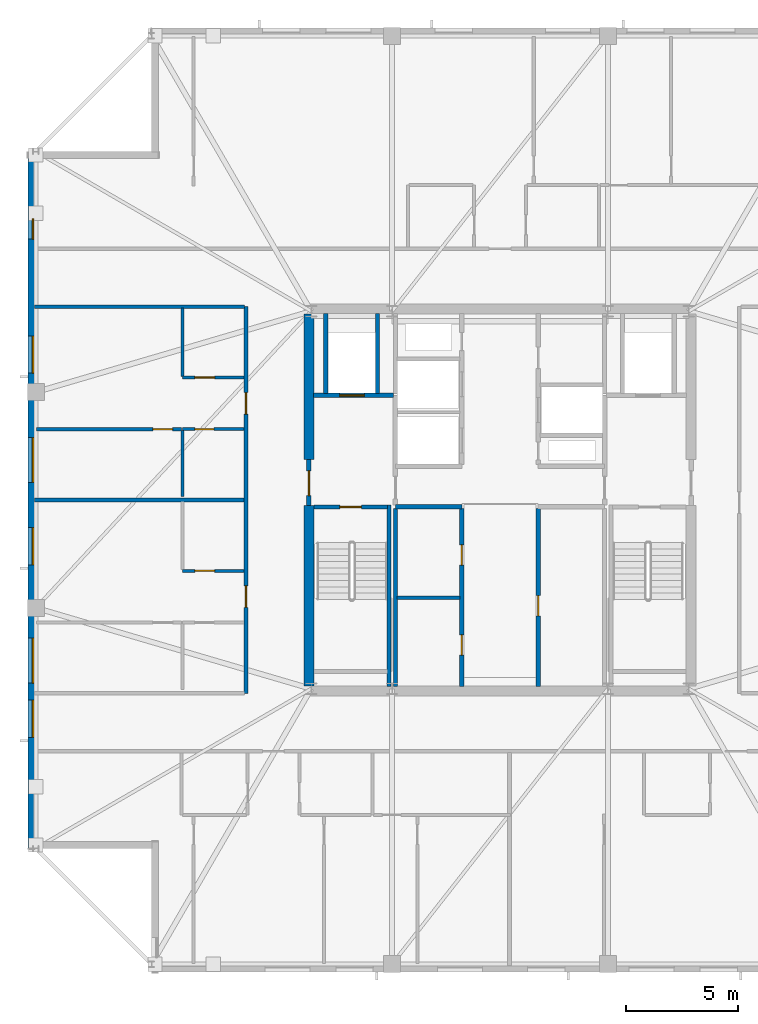
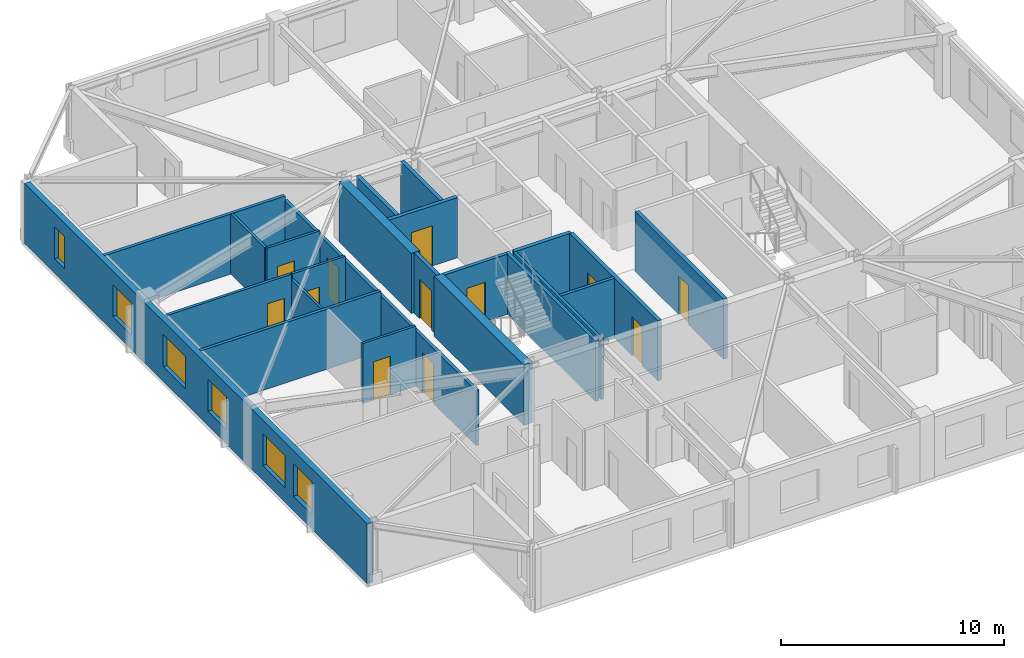
# One storey, part 8 of 15: 23 walls, 12 doors, 6 windows, 18 openings.
"""IFC4 building model written with IfcOpenShell, lengths in metres."""

from ifc_helpers import new_model, si_unit, direction, frame, frame_2d, origin, place, context, subcontext, project, spatial, rectangle, extrude, material, layer, layer_set, type_object, element, fill, save


model = new_model("IFC4")

# Units and contexts
model_context = context("Model", 3, precision=1e-05, world=origin(), true_north=direction((0.0, 1.0)))
body_context = subcontext(model_context, "Body", "Model", "MODEL_VIEW")
ifc_project = project(units=[si_unit("LENGTHUNIT", "METRE"), si_unit("AREAUNIT", "SQUARE_METRE"), si_unit("VOLUMEUNIT", "CUBIC_METRE"), si_unit("PLANEANGLEUNIT", "RADIAN"), si_unit("MASSUNIT", "GRAM", prefix="KILO")], contexts=[model_context])

# Site, building, storey
site_placement = place(None, origin())
site = spatial("IfcSite", under=ifc_project, at=site_placement, CompositionType="ELEMENT")
building_placement = place(site_placement, origin())
building = spatial("IfcBuilding", under=site, at=building_placement, Name="Cairnveth Concourse Tower", CompositionType="ELEMENT")
storey_placement = place(building_placement, frame((0.0, 0.0, 298.0)))
storey = spatial("IfcBuildingStorey", under=building, at=storey_placement, Name="L82", CompositionType="ELEMENT", Elevation=298.0)

# Walls
ifc_material_1 = material(Name="Gypsum Plasterboard Partition", Category="gypsum")
ifc_layer_1 = layer(ifc_material_1, 0.159912109375)
ifc_layer_set_1 = layer_set([ifc_layer_1], Name="Gypsum Plasterboard Partition")
wall_type_1 = type_object("IfcWallType", Name="ACOUSTIC PARTY WALL 180", PredefinedType="PARTITIONING", material=ifc_layer_set_1)
wall_1_placement = place(storey_placement, frame((47.35009765625, 30.7099609375, 0.0), z_axis=(0.0, 0.0, 1.0), x_axis=(0.0, 1.0, 0.0)))
element("IfcWall", 1, at=wall_1_placement, inside=storey, type_object=wall_type_1, Name="Interior Wall IW-L82-025", PredefinedType="PARTITIONING", context=body_context, shape_type="SweptSolid", body=[
    extrude(rectangle(XDim=7.905029296875, YDim=0.159912109375, at=frame_2d((3.95263671875, 0.0))), origin(), (0.0, 0.0, 1.0), 3.2900390625),
])
wall_2_placement = place(storey_placement, frame((47.4150390625, 34.64990234375, 0.0), z_axis=(0.0, 0.0, 1.0), x_axis=(1.0, 0.0, 0.0)))
element("IfcWall", 2, at=wall_2_placement, inside=storey, type_object=wall_type_1, Name="Interior Wall IW-L82-026", PredefinedType="PARTITIONING", context=body_context, shape_type="SweptSolid", body=[
    extrude(rectangle(XDim=2.800048828125, YDim=0.159912109375, at=frame_2d((1.39990234375, 0.0))), origin(), (0.0, 0.0, 1.0), 3.2900390625),
])

# Wall, openings, doors
wall_3_placement = place(storey_placement, frame((40.699951171875, 30.39990234375, 0.0), z_axis=(0.0, 0.0, 1.0), x_axis=(0.0, 1.0, 0.0)))
wall_3 = element("IfcWall", 3, at=wall_3_placement, inside=storey, type_object=wall_type_1, Name="Interior Wall IW-L82-036", PredefinedType="PARTITIONING", context=body_context, shape_type="SweptSolid", body=[
    extrude(rectangle(XDim=17.2001953125, YDim=0.159912109375, at=frame_2d((8.60009765625, 0.0))), origin(), (0.0, 0.0, 1.0), 3.009033203125),
])
opening_1_placement = place(wall_3_placement, frame((3.820068359375, 0.0, 0.0)))
opening_1 = element("IfcOpeningElement", 4, at=opening_1_placement, cuts=wall_3, Name="Opening ID10", PredefinedType="OPENING", context=body_context, shape_type="SweptSolid", body=[
    extrude(rectangle(XDim=0.9599609375, YDim=2.179931640625, at=frame_2d((0.47998046875, 1.08984375))), frame((0.0, 0.08984375, 0.0), z_axis=(0.0, -1.0, 0.0), x_axis=(1.0, 0.0, 0.0)), (0.0, 0.0, 1.0), 0.179931640625),
])
opening_2_placement = place(wall_3_placement, frame((12.419921875, 0.0, 0.0)))
opening_2 = element("IfcOpeningElement", 5, at=opening_2_placement, cuts=wall_3, Name="Opening ID10", PredefinedType="OPENING", context=body_context, shape_type="SweptSolid", body=[
    extrude(rectangle(XDim=0.9599609375, YDim=2.179931640625, at=frame_2d((0.47998046875, 1.08984375))), frame((0.0, 0.08984375, 0.0), z_axis=(0.0, -1.0, 0.0), x_axis=(1.0, 0.0, 0.0)), (0.0, 0.0, 1.0), 0.179931640625),
])
ifc_material_2 = material(Name="Solid Core Hardwood Timber Leaf", Category="wood")
door_type_1 = type_object("IfcDoorType", Name="FLAT ENTRANCE DOOR 960X2150", OperationType="NOTDEFINED", PredefinedType="DOOR", material=ifc_material_2)
door_1_placement = place(opening_1_placement, origin())
door_1 = element("IfcDoor", 6, at=door_1_placement, inside=storey, type_object=door_type_1, Name="Penthouse L82PW1 Entrance Door", OperationType="SINGLE_SWING_LEFT", OverallHeight=2.179931640625, OverallWidth=0.9599609375, PredefinedType="DOOR", context=body_context, shape_type="SweptSolid", body=[
    extrude(rectangle(XDim=0.9599609375, YDim=2.179931640625, at=frame_2d((0.47998046875, 1.08984375))), frame((0.0, 0.02490234375, 0.0), z_axis=(0.0, -1.0, 0.0), x_axis=(1.0, 0.0, 0.0)), (0.0, 0.0, 1.0), 0.050048828125),
])
fill(opening_1, door_1)
door_2_placement = place(opening_2_placement, origin())
door_2 = element("IfcDoor", 7, at=door_2_placement, inside=storey, type_object=door_type_1, Name="Penthouse L82PW2 Entrance Door", OperationType="SINGLE_SWING_LEFT", OverallHeight=2.179931640625, OverallWidth=0.9599609375, PredefinedType="DOOR", context=body_context, shape_type="SweptSolid", body=[
    extrude(rectangle(XDim=0.9599609375, YDim=2.179931640625, at=frame_2d((0.47998046875, 1.08984375))), frame((0.0, 0.02490234375, 0.0), z_axis=(0.0, -1.0, 0.0), x_axis=(1.0, 0.0, 0.0)), (0.0, 0.0, 1.0), 0.050048828125),
])
fill(opening_2, door_2)

# Walls
wall_4_placement = place(storey_placement, frame((31.284912109375, 47.60009765625, 0.0), z_axis=(0.0, 0.0, 1.0), x_axis=(1.0, 0.0, 0.0)))
element("IfcWall", 8, at=wall_4_placement, inside=storey, type_object=wall_type_1, Name="Interior Wall IW-L82-039", PredefinedType="PARTITIONING", context=body_context, shape_type="SweptSolid", body=[
    extrude(rectangle(XDim=9.35009765625, YDim=0.159912109375, at=frame_2d((4.675048828125, 0.0))), origin(), (0.0, 0.0, 1.0), 3.2900390625),
])
wall_5_placement = place(storey_placement, frame((31.284912109375, 39.0, 0.0), z_axis=(0.0, 0.0, 1.0), x_axis=(1.0, 0.0, 0.0)))
element("IfcWall", 9, at=wall_5_placement, inside=storey, type_object=wall_type_1, Name="Interior Wall IW-L82-074", PredefinedType="PARTITIONING", context=body_context, shape_type="SweptSolid", body=[
    extrude(rectangle(XDim=9.335205078125, YDim=0.159912109375, at=frame_2d((4.66748046875, 0.0))), origin(), (0.0, 0.0, 1.0), 3.2900390625),
])
ifc_material_3 = material(Name="Concrete N65 (65 MPa)", Category="concrete")
ifc_layer_2 = layer(ifc_material_3, 0.449951171875)
ifc_layer_set_2 = layer_set([ifc_layer_2], Name="Concrete N65 (65 MPa)")
wall_type_2 = type_object("IfcWallType", Name="CORE SHEAR WALL 450", PredefinedType="SHEAR", material=ifc_layer_set_2)
wall_6_placement = place(storey_placement, frame((43.5, 30.715087890625, 0.0), z_axis=(0.0, 0.0, 1.0), x_axis=(0.0, 1.0, 0.0)))
element("IfcWall", 10, at=wall_6_placement, inside=storey, type_object=wall_type_2, Name="Core West Shear Wall S L82", PredefinedType="SHEAR", context=body_context, shape_type="SweptSolid", body=[
    extrude(rectangle(XDim=8.034912109375, YDim=0.449951171875, at=frame_2d((4.017578125, 0.0))), origin(), (0.0, 0.0, 1.0), 3.2900390625),
])
wall_7_placement = place(storey_placement, frame((43.5, 40.800048828125, 0.0), z_axis=(0.0, 0.0, 1.0), x_axis=(0.0, 1.0, 0.0)))
element("IfcWall", 11, at=wall_7_placement, inside=storey, type_object=wall_type_2, Name="Core West Shear Wall N L82", PredefinedType="SHEAR", context=body_context, shape_type="SweptSolid", body=[
    extrude(rectangle(XDim=6.48486328125, YDim=0.449951171875, at=frame_2d((3.242431640625, 0.0))), origin(), (0.0, 0.0, 1.0), 3.2900390625),
])

# Wall, opening, door
ifc_material_4 = material(Name="Concrete N50 (50 MPa)", Category="concrete")
ifc_layer_3 = layer(ifc_material_4, 0.179931640625)
ifc_layer_set_3 = layer_set([ifc_layer_3], Name="Concrete N50 (50 MPa)")
wall_type_3 = type_object("IfcWallType", Name="FIRE SHAFT WALL 180", PredefinedType="SOLIDWALL", material=ifc_layer_set_3)
wall_8_placement = place(storey_placement, frame((43.715087890625, 38.68994140625, 0.0), z_axis=(0.0, 0.0, 1.0), x_axis=(1.0, 0.0, 0.0)))
wall_8 = element("IfcWall", 12, at=wall_8_placement, inside=storey, type_object=wall_type_3, Name="Stair ST-1 Shaft Wall NEAR L82", PredefinedType="SOLIDWALL", context=body_context, shape_type="SweptSolid", body=[
    extrude(rectangle(XDim=3.280029296875, YDim=0.179931640625, at=frame_2d((1.64013671875, 0.0))), origin(), (0.0, 0.0, 1.0), 3.2900390625),
])
opening_3_placement = place(wall_8_placement, frame((1.1650390625, 0.0, 0.0)))
opening_3 = element("IfcOpeningElement", 13, at=opening_3_placement, cuts=wall_8, Name="Opening ID12", PredefinedType="OPENING", context=body_context, shape_type="SweptSolid", body=[
    extrude(rectangle(XDim=0.949951171875, YDim=2.14990234375, at=frame_2d((0.47509765625, 1.074951171875))), frame((0.0, 0.099853515625, 0.0), z_axis=(0.0, -1.0, 0.0), x_axis=(1.0, 0.0, 0.0)), (0.0, 0.0, 1.0), 0.199951171875),
])
ifc_material_5 = material(Name="Steel Grade 350", Category="steel")
door_type_2 = type_object("IfcDoorType", Name="FIRE STAIR DOOR 950X2150", OperationType="NOTDEFINED", PredefinedType="DOOR", material=ifc_material_5)
door_3_placement = place(opening_3_placement, origin())
door_3 = element("IfcDoor", 14, at=door_3_placement, inside=storey, type_object=door_type_2, Name="Stair ST-1 Fire Door L82", OperationType="SINGLE_SWING_LEFT", OverallHeight=2.14990234375, OverallWidth=0.949951171875, PredefinedType="DOOR", context=body_context, shape_type="SweptSolid", body=[
    extrude(rectangle(XDim=0.949951171875, YDim=2.14990234375, at=frame_2d((0.47509765625, 1.074951171875))), frame((0.0, 0.02490234375, 0.0), z_axis=(0.0, -1.0, 0.0), x_axis=(1.0, 0.0, 0.0)), (0.0, 0.0, 1.0), 0.050048828125),
])
fill(opening_3, door_3)

# Walls
wall_9_placement = place(storey_placement, frame((47.070068359375, 38.780029296875, 0.0), z_axis=(0.0, 0.0, 1.0), x_axis=(0.0, -1.0, 0.0)))
element("IfcWall", 15, at=wall_9_placement, inside=storey, type_object=wall_type_3, Name="Stair ST-1 Shaft Wall RGHT L82", PredefinedType="SOLIDWALL", context=body_context, shape_type="SweptSolid", body=[
    extrude(rectangle(XDim=8.067138671875, YDim=0.179931640625, at=frame_2d((4.03369140625, 0.0))), origin(), (0.0, 0.0, 1.0), 3.2900390625),
])
ifc_layer_4 = layer(ifc_material_4, 0.199951171875)
ifc_layer_set_4 = layer_set([ifc_layer_4], Name="Concrete N50 (50 MPa)")
wall_type_4 = type_object("IfcWallType", Name="FIRE SHAFT WALL 200", PredefinedType="SOLIDWALL", material=ifc_layer_set_4)
wall_10_placement = place(storey_placement, frame((47.35009765625, 38.699951171875, 0.0), z_axis=(0.0, 0.0, 1.0), x_axis=(1.0, 0.0, 0.0)))
element("IfcWall", 16, at=wall_10_placement, inside=storey, type_object=wall_type_4, Name="Interior Wall IW-L82-007", PredefinedType="SOLIDWALL", context=body_context, shape_type="SweptSolid", body=[
    extrude(rectangle(XDim=2.949951171875, YDim=0.199951171875, at=frame_2d((1.47509765625, 0.0))), origin(), (0.0, 0.0, 1.0), 3.2900390625),
])

# Wall, openings, doors
wall_11_placement = place(storey_placement, frame((50.300048828125, 30.7099609375, 0.0), z_axis=(0.0, 0.0, 1.0), x_axis=(0.0, 1.0, 0.0)))
wall_11 = element("IfcWall", 17, at=wall_11_placement, inside=storey, type_object=wall_type_4, Name="Interior Wall IW-L82-011", PredefinedType="SOLIDWALL", context=body_context, shape_type="SweptSolid", body=[
    extrude(rectangle(XDim=7.905029296875, YDim=0.199951171875, at=frame_2d((3.95263671875, 0.0))), origin(), (0.0, 0.0, 1.0), 3.2900390625),
])
opening_4_placement = place(wall_11_placement, frame((1.389892578125, 0.0, 0.0)))
opening_4 = element("IfcOpeningElement", 18, at=opening_4_placement, cuts=wall_11, Name="Opening ID26", PredefinedType="OPENING", context=body_context, shape_type="SweptSolid", body=[
    extrude(rectangle(XDim=0.89990234375, YDim=2.1201171875, at=frame_2d((0.449951171875, 1.06005859375))), frame((0.0, 0.10986328125, 0.0), z_axis=(0.0, -1.0, 0.0), x_axis=(1.0, 0.0, 0.0)), (0.0, 0.0, 1.0), 0.219970703125),
])
opening_5_placement = place(wall_11_placement, frame((5.389892578125, 0.0, 0.0)))
opening_5 = element("IfcOpeningElement", 19, at=opening_5_placement, cuts=wall_11, Name="Opening ID26", PredefinedType="OPENING", context=body_context, shape_type="SweptSolid", body=[
    extrude(rectangle(XDim=0.89990234375, YDim=2.1201171875, at=frame_2d((0.449951171875, 1.06005859375))), frame((0.0, 0.10986328125, 0.0), z_axis=(0.0, -1.0, 0.0), x_axis=(1.0, 0.0, 0.0)), (0.0, 0.0, 1.0), 0.219970703125),
])
door_type_3 = type_object("IfcDoorType", Name="CORE TOILET FIRE DOOR 900X2120", OperationType="NOTDEFINED", PredefinedType="DOOR", material=ifc_material_5)
door_4_placement = place(opening_4_placement, origin())
door_4 = element("IfcDoor", 20, at=door_4_placement, inside=storey, type_object=door_type_3, Name="Male WC Door L82", OperationType="SINGLE_SWING_LEFT", OverallHeight=2.1201171875, OverallWidth=0.89990234375, PredefinedType="DOOR", context=body_context, shape_type="SweptSolid", body=[
    extrude(rectangle(XDim=0.89990234375, YDim=2.1201171875, at=frame_2d((0.449951171875, 1.06005859375))), frame((0.0, 0.02490234375, 0.0), z_axis=(0.0, -1.0, 0.0), x_axis=(1.0, 0.0, 0.0)), (0.0, 0.0, 1.0), 0.050048828125),
])
fill(opening_4, door_4)
door_5_placement = place(opening_5_placement, origin())
door_5 = element("IfcDoor", 21, at=door_5_placement, inside=storey, type_object=door_type_3, Name="Female WC Door L82", OperationType="SINGLE_SWING_RIGHT", OverallHeight=2.1201171875, OverallWidth=0.89990234375, PredefinedType="DOOR", context=body_context, shape_type="SweptSolid", body=[
    extrude(rectangle(XDim=0.89990234375, YDim=2.1201171875, at=frame_2d((0.449951171875, 1.06005859375))), frame((0.0, 0.02490234375, 0.0), z_axis=(0.0, -1.0, 0.0), x_axis=(1.0, 0.0, 0.0)), (0.0, 0.0, 1.0), 0.050048828125),
])
fill(opening_5, door_5)

# Wall, opening, door
wall_12_placement = place(storey_placement, frame((53.699951171875, 30.7099609375, 0.0), z_axis=(0.0, 0.0, 1.0), x_axis=(0.0, 1.0, 0.0)))
wall_12 = element("IfcWall", 22, at=wall_12_placement, inside=storey, type_object=wall_type_4, Name="Interior Wall IW-L82-012", PredefinedType="SOLIDWALL", context=body_context, shape_type="SweptSolid", body=[
    extrude(rectangle(XDim=7.905029296875, YDim=0.199951171875, at=frame_2d((3.95263671875, 0.0))), origin(), (0.0, 0.0, 1.0), 3.2900390625),
])
opening_6_placement = place(wall_12_placement, frame((3.139892578125, 0.0, 0.0)))
opening_6 = element("IfcOpeningElement", 23, at=opening_6_placement, cuts=wall_12, Name="Opening ID16", PredefinedType="OPENING", context=body_context, shape_type="SweptSolid", body=[
    extrude(rectangle(XDim=0.89990234375, YDim=2.1201171875, at=frame_2d((0.449951171875, 1.06005859375))), frame((0.0, 0.10986328125, 0.0), z_axis=(0.0, -1.0, 0.0), x_axis=(1.0, 0.0, 0.0)), (0.0, 0.0, 1.0), 0.219970703125),
])
door_type_4 = type_object("IfcDoorType", Name="CORE SERVICE DOOR 900X2100", OperationType="NOTDEFINED", PredefinedType="DOOR", material=ifc_material_5)
door_6_placement = place(opening_6_placement, origin())
door_6 = element("IfcDoor", 24, at=door_6_placement, inside=storey, type_object=door_type_4, Name="Sky Pantry Door L82", OperationType="SINGLE_SWING_LEFT", OverallHeight=2.1201171875, OverallWidth=0.89990234375, PredefinedType="DOOR", context=body_context, shape_type="SweptSolid", body=[
    extrude(rectangle(XDim=0.89990234375, YDim=2.1201171875, at=frame_2d((0.449951171875, 1.06005859375))), frame((0.0, 0.02490234375, 0.0), z_axis=(0.0, -1.0, 0.0), x_axis=(1.0, 0.0, 0.0)), (0.0, 0.0, 1.0), 0.050048828125),
])
fill(opening_6, door_6)

wall_13_placement = place(storey_placement, frame((43.5, 38.75, 0.0), z_axis=(0.0, 0.0, 1.0), x_axis=(0.0, 1.0, 0.0)))
wall_13 = element("IfcWall", 25, at=wall_13_placement, inside=storey, type_object=wall_type_4, Name="Interior Wall IW-L82-015", PredefinedType="SOLIDWALL", context=body_context, shape_type="SweptSolid", body=[
    extrude(rectangle(XDim=2.050048828125, YDim=0.199951171875, at=frame_2d((1.02490234375, 0.0))), origin(), (0.0, 0.0, 1.0), 3.2900390625),
])
opening_7_placement = place(wall_13_placement, frame((0.449951171875, 0.0, 0.0)))
opening_7 = element("IfcOpeningElement", 26, at=opening_7_placement, cuts=wall_13, Name="Opening ID06", PredefinedType="OPENING", context=body_context, shape_type="SweptSolid", body=[
    extrude(rectangle(XDim=1.10009765625, YDim=2.14990234375, at=frame_2d((0.550048828125, 1.074951171875))), frame((0.0, 0.10986328125, 0.0), z_axis=(0.0, -1.0, 0.0), x_axis=(1.0, 0.0, 0.0)), (0.0, 0.0, 1.0), 0.219970703125),
])
door_type_5 = type_object("IfcDoorType", Name="FIRE CORRIDOR DOOR 1100X2150", OperationType="NOTDEFINED", PredefinedType="DOOR", material=ifc_material_5)
door_7_placement = place(opening_7_placement, origin())
door_7 = element("IfcDoor", 27, at=door_7_placement, inside=storey, type_object=door_type_5, Name="West Wing to FF Lobby Door L82", OperationType="SINGLE_SWING_LEFT", OverallHeight=2.14990234375, OverallWidth=1.10009765625, PredefinedType="DOOR", context=body_context, shape_type="SweptSolid", body=[
    extrude(rectangle(XDim=1.10009765625, YDim=2.14990234375, at=frame_2d((0.550048828125, 1.074951171875))), frame((0.0, 0.02490234375, 0.0), z_axis=(0.0, -1.0, 0.0), x_axis=(1.0, 0.0, 0.0)), (0.0, 0.0, 1.0), 0.050048828125),
])
fill(opening_7, door_7)

wall_14_placement = place(storey_placement, frame((43.7099609375, 43.64990234375, 0.0), z_axis=(0.0, 0.0, 1.0), x_axis=(1.0, 0.0, 0.0)))
wall_14 = element("IfcWall", 28, at=wall_14_placement, inside=storey, type_object=wall_type_4, Name="Interior Wall IW-L82-017", PredefinedType="SOLIDWALL", context=body_context, shape_type="SweptSolid", body=[
    extrude(rectangle(XDim=3.554931640625, YDim=0.199951171875, at=frame_2d((1.77734375, 0.0))), origin(), (0.0, 0.0, 1.0), 3.2900390625),
])
opening_8_placement = place(wall_14_placement, frame((1.159912109375, 0.0, 0.0)))
opening_8 = element("IfcOpeningElement", 29, at=opening_8_placement, cuts=wall_14, Name="Opening LD-1", PredefinedType="OPENING", context=body_context, shape_type="SweptSolid", body=[
    extrude(rectangle(XDim=1.10009765625, YDim=2.199951171875, at=frame_2d((0.550048828125, 1.10009765625))), frame((0.0, 0.10986328125, 0.0), z_axis=(0.0, -1.0, 0.0), x_axis=(1.0, 0.0, 0.0)), (0.0, 0.0, 1.0), 0.219970703125),
])
ifc_material_6 = material(Name="Architectural Bronze Anodised Aluminium 6063-T6", Category="aluminium")
door_type_6 = type_object("IfcDoorType", Name="LIFT LANDING DOOR 1100X2200", OperationType="SLIDING_TO_LEFT", PredefinedType="DOOR", material=ifc_material_6)
door_8_placement = place(opening_8_placement, origin())
door_8 = element("IfcDoor", 30, at=door_8_placement, inside=storey, type_object=door_type_6, Name="Lift FFL1 Landing Door L82", OperationType="SLIDING_TO_LEFT", OverallHeight=2.199951171875, OverallWidth=1.10009765625, PredefinedType="DOOR", context=body_context, shape_type="SweptSolid", body=[
    extrude(rectangle(XDim=1.10009765625, YDim=2.199951171875, at=frame_2d((0.550048828125, 1.10009765625))), frame((0.0, 0.02490234375, 0.0), z_axis=(0.0, -1.0, 0.0), x_axis=(1.0, 0.0, 0.0)), (0.0, 0.0, 1.0), 0.050048828125),
])
fill(opening_8, door_8)

# Walls
for number, where, z_axis, x_axis, name in (
    (31, (46.550048828125, 43.735107421875, 0.0), (0.0, 0.0, 1.0), (0.0, 1.0, 0.0), "Interior Wall IW-L82-018"),
    (32, (44.25, 43.735107421875, 0.0), (0.0, 0.0, 1.0), (0.0, 1.0, 0.0), "Interior Wall IW-L82-019"),
):
    element("IfcWall", number, at=place(storey_placement, frame(where, z_axis=z_axis, x_axis=x_axis)), inside=storey, type_object=wall_type_4, Name=name, PredefinedType="SOLIDWALL", context=body_context, shape_type="SweptSolid", body=[
        extrude(rectangle(XDim=3.554931640625, YDim=0.199951171875, at=frame_2d((1.77734375, 0.0))), origin(), (0.0, 0.0, 1.0), 3.2900390625),
    ])

# Wall, opening, door
ifc_layer_5 = layer(ifc_material_1, 0.139892578125)
ifc_layer_set_5 = layer_set([ifc_layer_5], Name="Gypsum Plasterboard Partition")
wall_type_5 = type_object("IfcWallType", Name="GYPSUM STUD PARTITION 140", PredefinedType="PARTITIONING", material=ifc_layer_set_5)
wall_15_placement = place(storey_placement, frame((31.3798828125, 42.14990234375, 0.0), z_axis=(0.0, 0.0, 1.0), x_axis=(1.0, 0.0, 0.0)))
wall_15 = element("IfcWall", 33, at=wall_15_placement, inside=storey, type_object=wall_type_5, Name="Interior Wall IW-L82-084", PredefinedType="PARTITIONING", context=body_context, shape_type="SweptSolid", body=[
    extrude(rectangle(XDim=6.440185546875, YDim=0.139892578125, at=frame_2d((3.22021484375, 0.0))), origin(), (0.0, 0.0, 1.0), 3.2900390625),
])
opening_9_placement = place(wall_15_placement, frame((5.179931640625, 0.0, 0.0)))
opening_9 = element("IfcOpeningElement", 34, at=opening_9_placement, cuts=wall_15, Name="Opening ID18", PredefinedType="OPENING", context=body_context, shape_type="SweptSolid", body=[
    extrude(rectangle(XDim=0.8798828125, YDim=2.10009765625, at=frame_2d((0.43994140625, 1.050048828125))), frame((0.0, 0.079833984375, 0.0), z_axis=(0.0, -1.0, 0.0), x_axis=(1.0, 0.0, 0.0)), (0.0, 0.0, 1.0), 0.159912109375),
])
door_type_7 = type_object("IfcDoorType", Name="INTERIOR SINGLE DOOR 880X2100", OperationType="NOTDEFINED", PredefinedType="DOOR", material=ifc_material_2)
door_9_placement = place(opening_9_placement, origin())
door_9 = element("IfcDoor", 35, at=door_9_placement, inside=storey, type_object=door_type_7, Name="L82PW2 Master Bedroom Door", OperationType="SINGLE_SWING_RIGHT", OverallHeight=2.10009765625, OverallWidth=0.8798828125, PredefinedType="DOOR", context=body_context, shape_type="SweptSolid", body=[
    extrude(rectangle(XDim=0.8798828125, YDim=2.10009765625, at=frame_2d((0.43994140625, 1.050048828125))), frame((0.0, 0.02490234375, 0.0), z_axis=(0.0, -1.0, 0.0), x_axis=(1.0, 0.0, 0.0)), (0.0, 0.0, 1.0), 0.050048828125),
])
fill(opening_9, door_9)

ifc_layer_6 = layer(ifc_material_1, 0.1298828125)
ifc_layer_set_6 = layer_set([ifc_layer_6], Name="Gypsum Plasterboard Partition")
wall_type_6 = type_object("IfcWallType", Name="WET AREA PARTITION 140", PredefinedType="PLUMBINGWALL", material=ifc_layer_set_6)
wall_16_placement = place(storey_placement, frame((37.8701171875, 35.85009765625, 0.0), z_axis=(0.0, 0.0, 1.0), x_axis=(1.0, 0.0, 0.0)))
wall_16 = element("IfcWall", 36, at=wall_16_placement, inside=storey, type_object=wall_type_6, Name="Interior Wall IW-L82-077", PredefinedType="PLUMBINGWALL", context=body_context, shape_type="SweptSolid", body=[
    extrude(rectangle(XDim=2.75, YDim=0.1298828125, at=frame_2d((1.375, 0.0))), origin(), (0.0, 0.0, 1.0), 3.2900390625),
])
opening_10_placement = place(wall_16_placement, frame((0.550048828125, 0.0, 0.0)))
opening_10 = element("IfcOpeningElement", 37, at=opening_10_placement, cuts=wall_16, Name="Opening ID18", PredefinedType="OPENING", context=body_context, shape_type="SweptSolid", body=[
    extrude(rectangle(XDim=0.8798828125, YDim=2.10009765625, at=frame_2d((0.43994140625, 1.050048828125))), frame((0.0, 0.074951171875, 0.0), z_axis=(0.0, -1.0, 0.0), x_axis=(1.0, 0.0, 0.0)), (0.0, 0.0, 1.0), 0.14990234375),
])
door_10_placement = place(opening_10_placement, origin())
door_10 = element("IfcDoor", 38, at=door_10_placement, inside=storey, type_object=door_type_7, Name="L82PW1 Kitchen Door", OperationType="SINGLE_SWING_LEFT", OverallHeight=2.10009765625, OverallWidth=0.8798828125, PredefinedType="DOOR", context=body_context, shape_type="SweptSolid", body=[
    extrude(rectangle(XDim=0.8798828125, YDim=2.10009765625, at=frame_2d((0.43994140625, 1.050048828125))), frame((0.0, 0.02490234375, 0.0), z_axis=(0.0, -1.0, 0.0), x_axis=(1.0, 0.0, 0.0)), (0.0, 0.0, 1.0), 0.050048828125),
])
fill(opening_10, door_10)

wall_17_placement = place(storey_placement, frame((37.8701171875, 42.14990234375, 0.0), z_axis=(0.0, 0.0, 1.0), x_axis=(1.0, 0.0, 0.0)))
wall_17 = element("IfcWall", 39, at=wall_17_placement, inside=storey, type_object=wall_type_6, Name="Interior Wall IW-L82-080", PredefinedType="PLUMBINGWALL", context=body_context, shape_type="SweptSolid", body=[
    extrude(rectangle(XDim=2.75, YDim=0.1298828125, at=frame_2d((1.375, 0.0))), origin(), (0.0, 0.0, 1.0), 3.2900390625),
])
opening_11_placement = place(wall_17_placement, frame((0.550048828125, 0.0, 0.0)))
opening_11 = element("IfcOpeningElement", 40, at=opening_11_placement, cuts=wall_17, Name="Opening ID21", PredefinedType="OPENING", context=body_context, shape_type="SweptSolid", body=[
    extrude(rectangle(XDim=0.85009765625, YDim=2.080078125, at=frame_2d((0.425048828125, 1.0400390625))), frame((0.0, 0.074951171875, 0.0), z_axis=(0.0, -1.0, 0.0), x_axis=(1.0, 0.0, 0.0)), (0.0, 0.0, 1.0), 0.14990234375),
])
door_type_8 = type_object("IfcDoorType", Name="INTERIOR WC DOOR 850X2100", OperationType="NOTDEFINED", PredefinedType="DOOR", material=ifc_material_2)
door_11_placement = place(opening_11_placement, origin())
door_11 = element("IfcDoor", 41, at=door_11_placement, inside=storey, type_object=door_type_8, Name="L82PW2 Bathroom Door", OperationType="SINGLE_SWING_RIGHT", OverallHeight=2.080078125, OverallWidth=0.85009765625, PredefinedType="DOOR", context=body_context, shape_type="SweptSolid", body=[
    extrude(rectangle(XDim=0.85009765625, YDim=2.080078125, at=frame_2d((0.425048828125, 1.0400390625))), frame((0.0, 0.02490234375, 0.0), z_axis=(0.0, -1.0, 0.0), x_axis=(1.0, 0.0, 0.0)), (0.0, 0.0, 1.0), 0.050048828125),
])
fill(opening_11, door_11)

# Wall
wall_18_placement = place(storey_placement, frame((37.8701171875, 39.159912109375, 0.0), z_axis=(0.0, 0.0, 1.0), x_axis=(0.0, 1.0, 0.0)))
element("IfcWall", 42, at=wall_18_placement, inside=storey, type_object=wall_type_6, Name="Interior Wall IW-L82-081", PredefinedType="PLUMBINGWALL", context=body_context, shape_type="SweptSolid", body=[
    extrude(rectangle(XDim=2.940185546875, YDim=0.1298828125, at=frame_2d((1.47021484375, 0.0))), origin(), (0.0, 0.0, 1.0), 3.009033203125),
])

# Wall, opening, door
wall_19_placement = place(storey_placement, frame((37.8701171875, 44.449951171875, 0.0), z_axis=(0.0, 0.0, 1.0), x_axis=(1.0, 0.0, 0.0)))
wall_19 = element("IfcWall", 43, at=wall_19_placement, inside=storey, type_object=wall_type_6, Name="Interior Wall IW-L82-082", PredefinedType="PLUMBINGWALL", context=body_context, shape_type="SweptSolid", body=[
    extrude(rectangle(XDim=2.75, YDim=0.1298828125, at=frame_2d((1.375, 0.0))), origin(), (0.0, 0.0, 1.0), 3.2900390625),
])
opening_12_placement = place(wall_19_placement, frame((0.550048828125, 0.0, 0.0)))
opening_12 = element("IfcOpeningElement", 44, at=opening_12_placement, cuts=wall_19, Name="Opening ID18", PredefinedType="OPENING", context=body_context, shape_type="SweptSolid", body=[
    extrude(rectangle(XDim=0.8798828125, YDim=2.10009765625, at=frame_2d((0.43994140625, 1.050048828125))), frame((0.0, 0.074951171875, 0.0), z_axis=(0.0, -1.0, 0.0), x_axis=(1.0, 0.0, 0.0)), (0.0, 0.0, 1.0), 0.14990234375),
])
door_12_placement = place(opening_12_placement, origin())
door_12 = element("IfcDoor", 45, at=door_12_placement, inside=storey, type_object=door_type_7, Name="L82PW2 Kitchen Door", OperationType="SINGLE_SWING_LEFT", OverallHeight=2.10009765625, OverallWidth=0.8798828125, PredefinedType="DOOR", context=body_context, shape_type="SweptSolid", body=[
    extrude(rectangle(XDim=0.8798828125, YDim=2.10009765625, at=frame_2d((0.43994140625, 1.050048828125))), frame((0.0, 0.02490234375, 0.0), z_axis=(0.0, -1.0, 0.0), x_axis=(1.0, 0.0, 0.0)), (0.0, 0.0, 1.0), 0.050048828125),
])
fill(opening_12, door_12)

# Wall
wall_20_placement = place(storey_placement, frame((37.8701171875, 44.5, 0.0), z_axis=(0.0, 0.0, 1.0), x_axis=(0.0, 1.0, 0.0)))
element("IfcWall", 46, at=wall_20_placement, inside=storey, type_object=wall_type_6, Name="Interior Wall IW-L82-083", PredefinedType="PLUMBINGWALL", context=body_context, shape_type="SweptSolid", body=[
    extrude(rectangle(XDim=3.034912109375, YDim=0.1298828125, at=frame_2d((1.517578125, 0.0))), origin(), (0.0, 0.0, 1.0), 3.2900390625),
])

# Wall, openings, windows
ifc_material_7 = material(Name="Hawthorn Red-Ochre Fired Clay Brick Masonry", Category="masonry")
ifc_layer_7 = layer(ifc_material_7, 0.300048828125)
ifc_layer_set_7 = layer_set([ifc_layer_7], Name="Hawthorn Red-Ochre Fired Clay Brick Masonry")
wall_type_7 = type_object("IfcWallType", Name="ZONE 4 BRICK PIER SPANDREL WALL 300", PredefinedType="SOLIDWALL", material=ifc_layer_set_7)
wall_21_placement = place(storey_placement, frame((31.14990234375, 23.5, 0.0), z_axis=(0.0, 0.0, 1.0), x_axis=(0.0, 1.0, 0.0)))
wall_21 = element("IfcWall", 47, at=wall_21_placement, inside=storey, type_object=wall_type_7, Name="Exterior Wall EW-L82-S06", PredefinedType="SOLIDWALL", context=body_context, shape_type="SweptSolid", body=[
    extrude(rectangle(XDim=30.721923828125, YDim=0.300048828125, at=frame_2d((15.36083984375, 0.0))), origin(), (0.0, 0.0, 1.0), 3.2900390625),
])
opening_13_placement = place(wall_21_placement, frame((4.943603515625, 0.0, 0.800048828125)))
opening_13 = element("IfcOpeningElement", 48, at=opening_13_placement, cuts=wall_21, Name="Opening W04", PredefinedType="OPENING", context=body_context, shape_type="SweptSolid", body=[
    extrude(rectangle(XDim=1.64990234375, YDim=1.758056640625, at=frame_2d((0.824951171875, 0.87890625))), frame((0.0, 0.159912109375, 0.0), z_axis=(0.0, -1.0, 0.0), x_axis=(1.0, 0.0, 0.0)), (0.0, 0.0, 1.0), 0.320068359375),
])
opening_14_placement = place(wall_21_placement, frame((7.35546875, 0.0, 0.800048828125)))
opening_14 = element("IfcOpeningElement", 49, at=opening_14_placement, cuts=wall_21, Name="Opening W09", PredefinedType="OPENING", context=body_context, shape_type="SweptSolid", body=[
    extrude(rectangle(XDim=2.0, YDim=1.758056640625, at=frame_2d((1.0, 0.87890625))), frame((0.0, 0.159912109375, 0.0), z_axis=(0.0, -1.0, 0.0), x_axis=(1.0, 0.0, 0.0)), (0.0, 0.0, 1.0), 0.320068359375),
])
opening_15_placement = place(wall_21_placement, frame((12.617431640625, 0.0, 0.800048828125)))
opening_15 = element("IfcOpeningElement", 50, at=opening_15_placement, cuts=wall_21, Name="Opening W04", PredefinedType="OPENING", context=body_context, shape_type="SweptSolid", body=[
    extrude(rectangle(XDim=1.64990234375, YDim=1.758056640625, at=frame_2d((0.824951171875, 0.87890625))), frame((0.0, 0.159912109375, 0.0), z_axis=(0.0, -1.0, 0.0), x_axis=(1.0, 0.0, 0.0)), (0.0, 0.0, 1.0), 0.320068359375),
])
opening_16_placement = place(wall_21_placement, frame((16.279541015625, 0.0, 0.800048828125)))
opening_16 = element("IfcOpeningElement", 51, at=opening_16_placement, cuts=wall_21, Name="Opening W09", PredefinedType="OPENING", context=body_context, shape_type="SweptSolid", body=[
    extrude(rectangle(XDim=2.0, YDim=1.758056640625, at=frame_2d((1.0, 0.87890625))), frame((0.0, 0.159912109375, 0.0), z_axis=(0.0, -1.0, 0.0), x_axis=(1.0, 0.0, 0.0)), (0.0, 0.0, 1.0), 0.320068359375),
])
opening_17_placement = place(wall_21_placement, frame((21.1416015625, 0.0, 0.800048828125)))
opening_17 = element("IfcOpeningElement", 52, at=opening_17_placement, cuts=wall_21, Name="Opening W04", PredefinedType="OPENING", context=body_context, shape_type="SweptSolid", body=[
    extrude(rectangle(XDim=1.64990234375, YDim=1.758056640625, at=frame_2d((0.824951171875, 0.87890625))), frame((0.0, 0.159912109375, 0.0), z_axis=(0.0, -1.0, 0.0), x_axis=(1.0, 0.0, 0.0)), (0.0, 0.0, 1.0), 0.320068359375),
])
opening_18_placement = place(wall_21_placement, frame((27.110107421875, 0.0, 0.800048828125)))
opening_18 = element("IfcOpeningElement", 53, at=opening_18_placement, cuts=wall_21, Name="Opening W13", PredefinedType="OPENING", context=body_context, shape_type="SweptSolid", body=[
    extrude(rectangle(XDim=0.89990234375, YDim=1.75, at=frame_2d((0.449951171875, 0.875))), frame((0.0, 0.159912109375, 0.0), z_axis=(0.0, -1.0, 0.0), x_axis=(1.0, 0.0, 0.0)), (0.0, 0.0, 1.0), 0.320068359375),
])
ifc_material_8 = material(Name="Double Glazed Low-E Clear Glass", Category="glass")
window_type_1 = type_object("IfcWindowType", Name="DEEP-SET BEDROOM LANCET WINDOW 900X1750", PartitioningType="DOUBLE_PANEL_VERTICAL", PredefinedType="WINDOW", material=ifc_material_8)
window_1_placement = place(opening_18_placement, origin())
window_1 = element("IfcWindow", 54, at=window_1_placement, inside=storey, type_object=window_type_1, Name="Dwelling Lancet Window L82-DW3", OverallHeight=1.75, OverallWidth=0.89990234375, PartitioningType="SINGLE_PANEL", PredefinedType="WINDOW", context=body_context, shape_type="SweptSolid", body=[
    extrude(rectangle(XDim=0.89990234375, YDim=1.75, at=frame_2d((0.449951171875, 0.875))), frame((0.0, -0.0400390625, 0.0), z_axis=(0.0, -1.0, 0.0), x_axis=(1.0, 0.0, 0.0)), (0.0, 0.0, 1.0), 0.06005859375),
])
fill(opening_18, window_1)
window_type_2 = type_object("IfcWindowType", Name="DEEP-SET GOTHIC LANCET WINDOW 1650X1850", PartitioningType="DOUBLE_PANEL_VERTICAL", PredefinedType="WINDOW", material=ifc_material_8)
window_2_placement = place(opening_13_placement, origin())
window_2 = element("IfcWindow", 55, at=window_2_placement, inside=storey, type_object=window_type_2, Name="Gothic Lancet Window L82-6-1", OverallHeight=1.758056640625, OverallWidth=1.64990234375, PartitioningType="SINGLE_PANEL", PredefinedType="WINDOW", context=body_context, shape_type="SweptSolid", body=[
    extrude(rectangle(XDim=1.64990234375, YDim=1.758056640625, at=frame_2d((0.824951171875, 0.87890625))), frame((0.0, -0.050048828125, 0.0), z_axis=(0.0, -1.0, 0.0), x_axis=(1.0, 0.0, 0.0)), (0.0, 0.0, 1.0), 0.06005859375),
])
fill(opening_13, window_2)
window_3_placement = place(opening_15_placement, origin())
window_3 = element("IfcWindow", 56, at=window_3_placement, inside=storey, type_object=window_type_2, Name="Gothic Lancet Window L82-6-3", OverallHeight=1.758056640625, OverallWidth=1.64990234375, PartitioningType="SINGLE_PANEL", PredefinedType="WINDOW", context=body_context, shape_type="SweptSolid", body=[
    extrude(rectangle(XDim=1.64990234375, YDim=1.758056640625, at=frame_2d((0.824951171875, 0.87890625))), frame((0.0, -0.050048828125, 0.0), z_axis=(0.0, -1.0, 0.0), x_axis=(1.0, 0.0, 0.0)), (0.0, 0.0, 1.0), 0.06005859375),
])
fill(opening_15, window_3)
window_4_placement = place(opening_17_placement, origin())
window_4 = element("IfcWindow", 57, at=window_4_placement, inside=storey, type_object=window_type_2, Name="Gothic Lancet Window L82-6-5", OverallHeight=1.758056640625, OverallWidth=1.64990234375, PartitioningType="SINGLE_PANEL", PredefinedType="WINDOW", context=body_context, shape_type="SweptSolid", body=[
    extrude(rectangle(XDim=1.64990234375, YDim=1.758056640625, at=frame_2d((0.824951171875, 0.87890625))), frame((0.0, -0.050048828125, 0.0), z_axis=(0.0, -1.0, 0.0), x_axis=(1.0, 0.0, 0.0)), (0.0, 0.0, 1.0), 0.06005859375),
])
fill(opening_17, window_4)
window_type_3 = type_object("IfcWindowType", Name="DEEP-SET PENTHOUSE LANCET WINDOW 2000X1850", PartitioningType="DOUBLE_PANEL_VERTICAL", PredefinedType="WINDOW", material=ifc_material_8)
window_5_placement = place(opening_14_placement, origin())
window_5 = element("IfcWindow", 58, at=window_5_placement, inside=storey, type_object=window_type_3, Name="Gothic Lancet Window L82-6-2", OverallHeight=1.758056640625, OverallWidth=2.0, PartitioningType="SINGLE_PANEL", PredefinedType="WINDOW", context=body_context, shape_type="SweptSolid", body=[
    extrude(rectangle(XDim=2.0, YDim=1.758056640625, at=frame_2d((1.0, 0.87890625))), frame((0.0, -0.050048828125, 0.0), z_axis=(0.0, -1.0, 0.0), x_axis=(1.0, 0.0, 0.0)), (0.0, 0.0, 1.0), 0.06005859375),
])
fill(opening_14, window_5)
window_6_placement = place(opening_16_placement, origin())
window_6 = element("IfcWindow", 59, at=window_6_placement, inside=storey, type_object=window_type_3, Name="Gothic Lancet Window L82-6-4", OverallHeight=1.758056640625, OverallWidth=2.0, PartitioningType="SINGLE_PANEL", PredefinedType="WINDOW", context=body_context, shape_type="SweptSolid", body=[
    extrude(rectangle(XDim=2.0, YDim=1.758056640625, at=frame_2d((1.0, 0.87890625))), frame((0.0, -0.050048828125, 0.0), z_axis=(0.0, -1.0, 0.0), x_axis=(1.0, 0.0, 0.0)), (0.0, 0.0, 1.0), 0.06005859375),
])
fill(opening_16, window_6)

save(model, "model.ifc")
